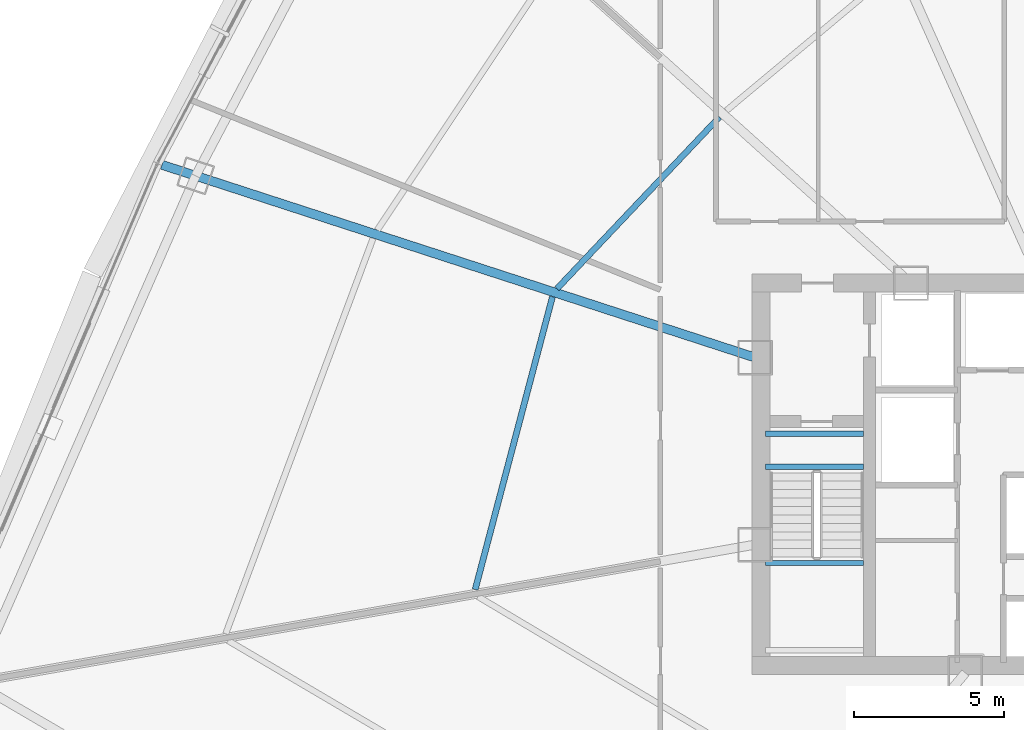
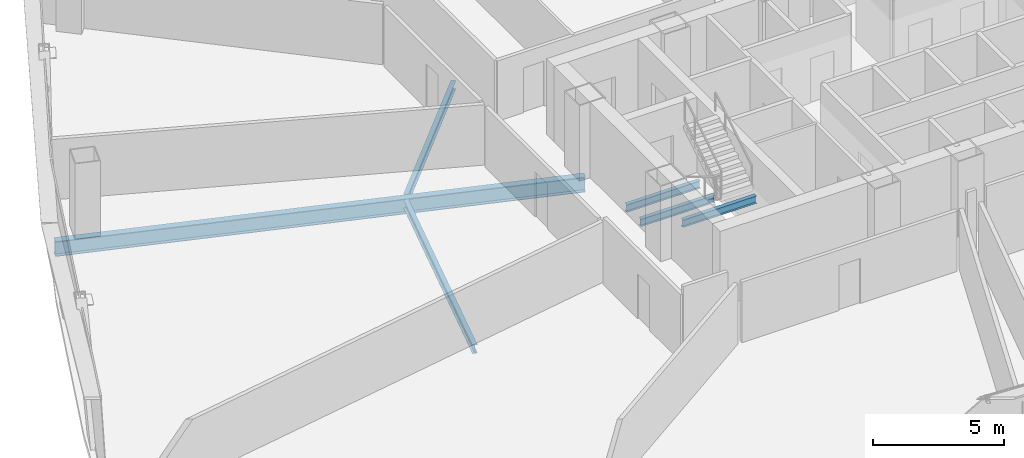
# One storey, part 9 of 41: 6 beams.
"""IFC4 building model written with IfcOpenShell, lengths in metres."""

from ifc_helpers import new_model, si_unit, direction, frame, origin, origin_2d, place, context, subcontext, project, spatial, i_section, extrude, source, transform, mapped, material, material_profile, profile_set, type_object, element, save


model = new_model("IFC4")

# Units and contexts
model_context = context("Model", 3, precision=1e-05, world=origin(), true_north=direction((0.0, 1.0)))
body_context = subcontext(model_context, "Body", "Model", "MODEL_VIEW")
ifc_project = project(units=[si_unit("LENGTHUNIT", "METRE"), si_unit("AREAUNIT", "SQUARE_METRE"), si_unit("VOLUMEUNIT", "CUBIC_METRE"), si_unit("PLANEANGLEUNIT", "RADIAN"), si_unit("MASSUNIT", "GRAM", prefix="KILO"), si_unit("THERMODYNAMICTEMPERATUREUNIT", "KELVIN"), si_unit("POWERUNIT", "WATT")], contexts=[model_context])

# Site, building, storey
site_placement = place(None, origin())
site = spatial("IfcSite", under=ifc_project, at=site_placement, CompositionType="ELEMENT")
building_placement = place(site_placement, origin())
building = spatial("IfcBuilding", under=site, at=building_placement, Name="Yunzhuo Pagoda Commons", CompositionType="ELEMENT")
storey_placement = place(building_placement, frame((0.0, 0.0, 115.3798828125)))
storey = spatial("IfcBuildingStorey", under=building, at=storey_placement, Name="L29", CompositionType="ELEMENT", Elevation=115.3798828125)

# Beams
ifc_material = material(Name="Structural steel Q355B", Category="steel")
ifc_material_profile_1 = material_profile(ifc_material, i_section(OverallWidth=0.175048828125, OverallDepth=0.35009765625, WebThickness=0.007080078125, FlangeThickness=0.010986328125, at=origin_2d()), Name="Structural steel Q355B")
ifc_profile_set_1 = profile_set([ifc_material_profile_1], Name="Structural steel Q355B")
beam_type_1 = type_object("IfcBeamType", Name="B-JS2 Joist HN 350x175x7x11", PredefinedType="JOIST", material=ifc_profile_set_1)
shared_shape_1 = source(origin(), body_context, "Body", "SweptSolid", [
    extrude(i_section(OverallWidth=0.175048828125, OverallDepth=0.35009765625, WebThickness=0.007080078125, FlangeThickness=0.010986328125, at=origin_2d()), origin(), (0.0, 0.0, 1.0), 3.25),
])
for number, where, z_axis, x_axis, name in (
    (1, (35.949951171875, 30.89990234375, 1.525146484375), (1.0, 0.0, 0.0), (0.0, 1.0, 0.0), "L29 ST1 landing support beam 35B"),
    (2, (35.949951171875, 34.10009765625, -0.375), (1.0, 0.0, 0.0), (0.0, 1.0, 0.0), "L29 ST1 landing support beam 133A"),
    (3, (35.949951171875, 35.199951171875, -0.375), (1.0, 0.0, 0.0), (0.0, 1.0, 0.0), "L29 ST1 landing support beam 133B"),
):
    element("IfcBeam", number, at=place(storey_placement, frame(where, z_axis=z_axis, x_axis=x_axis)), inside=storey, type_object=beam_type_1, Name=name, PredefinedType="JOIST", context=body_context, shape_type="MappedRepresentation", body=[
        mapped(shared_shape_1, transform((0.0, 0.0, 0.0), scale=1.0)),
    ])
ifc_material_profile_2 = material_profile(ifc_material, i_section(OverallWidth=0.199951171875, OverallDepth=0.39990234375, WebThickness=0.008056640625, FlangeThickness=0.012939453125, at=origin_2d()), Name="Structural steel Q355B")
ifc_profile_set_2 = profile_set([ifc_material_profile_2], Name="Structural steel Q355B")
beam_type_2 = type_object("IfcBeamType", Name="B-JS1 Joist HN 400x200x8x13", PredefinedType="JOIST", material=ifc_profile_set_2)
shared_shape_2 = source(origin(), body_context, "Body", "SweptSolid", [
    extrude(i_section(OverallWidth=0.199951171875, OverallDepth=0.39990234375, WebThickness=0.008056640625, FlangeThickness=0.012939453125, at=origin_2d()), origin(), (0.0, 0.0, 1.0), 10.0634765625),
])
beam_1_placement = place(storey_placement, frame((28.86669921875, 39.749755859375, -0.4599609375), z_axis=(-0.255289713136, -0.966864603948, 0.0), x_axis=(0.966864603948, -0.255289713136, 0.0)))
element("IfcBeam", 4, at=beam_1_placement, inside=storey, type_object=beam_type_2, Name="L29 composite ring joist 1.11", PredefinedType="JOIST", context=body_context, shape_type="MappedRepresentation", body=[
    mapped(shared_shape_2, transform((0.0, 0.0, 0.0), scale=1.0)),
])
shared_shape_3 = source(origin(), body_context, "Body", "SweptSolid", [
    extrude(i_section(OverallWidth=0.199951171875, OverallDepth=0.39990234375, WebThickness=0.008056640625, FlangeThickness=0.012939453125, at=origin_2d()), origin(), (0.0, 0.0, 1.0), 7.85009765625),
])
beam_2_placement = place(storey_placement, frame((34.41357421875, 45.719482421875, -0.4599609375), z_axis=(-0.687513423145, -0.726171669095, 0.0), x_axis=(0.726171669095, -0.687513423145, 0.0)))
element("IfcBeam", 5, at=beam_2_placement, inside=storey, type_object=beam_type_2, Name="L29 composite ring joist 1.10", PredefinedType="JOIST", context=body_context, shape_type="MappedRepresentation", body=[
    mapped(shared_shape_3, transform((0.0, 0.0, 0.0), scale=1.0)),
])
ifc_material_profile_3 = material_profile(ifc_material, i_section(OverallWidth=0.300048828125, OverallDepth=0.699951171875, WebThickness=0.012939453125, FlangeThickness=0.02392578125, at=origin_2d()), Name="Structural steel Q355B")
ifc_profile_set_3 = profile_set([ifc_material_profile_3], Name="Structural steel Q355B")
beam_type_3 = type_object("IfcBeamType", Name="B-RG1 Beam HN 700x300x13x24", PredefinedType="BEAM", material=ifc_profile_set_3)
shared_shape_4 = source(origin(), body_context, "Body", "SweptSolid", [
    extrude(i_section(OverallWidth=0.300048828125, OverallDepth=0.699951171875, WebThickness=0.012939453125, FlangeThickness=0.02392578125, at=origin_2d()), origin(), (0.0, 0.0, 1.0), 20.725341796875),
])
beam_3_placement = place(storey_placement, frame((15.88916015625, 44.13330078125, -0.609619140625), z_axis=(0.951058997127, -0.309009359055, 0.0), x_axis=(0.309009359055, 0.951058997127, 0.0)))
element("IfcBeam", 6, at=beam_3_placement, inside=storey, type_object=beam_type_3, Name="L29 radial floor girder F3C3", PredefinedType="BEAM", context=body_context, shape_type="MappedRepresentation", body=[
    mapped(shared_shape_4, transform((0.0, 0.0, 0.0), scale=1.0)),
])

save(model, "model.ifc")
